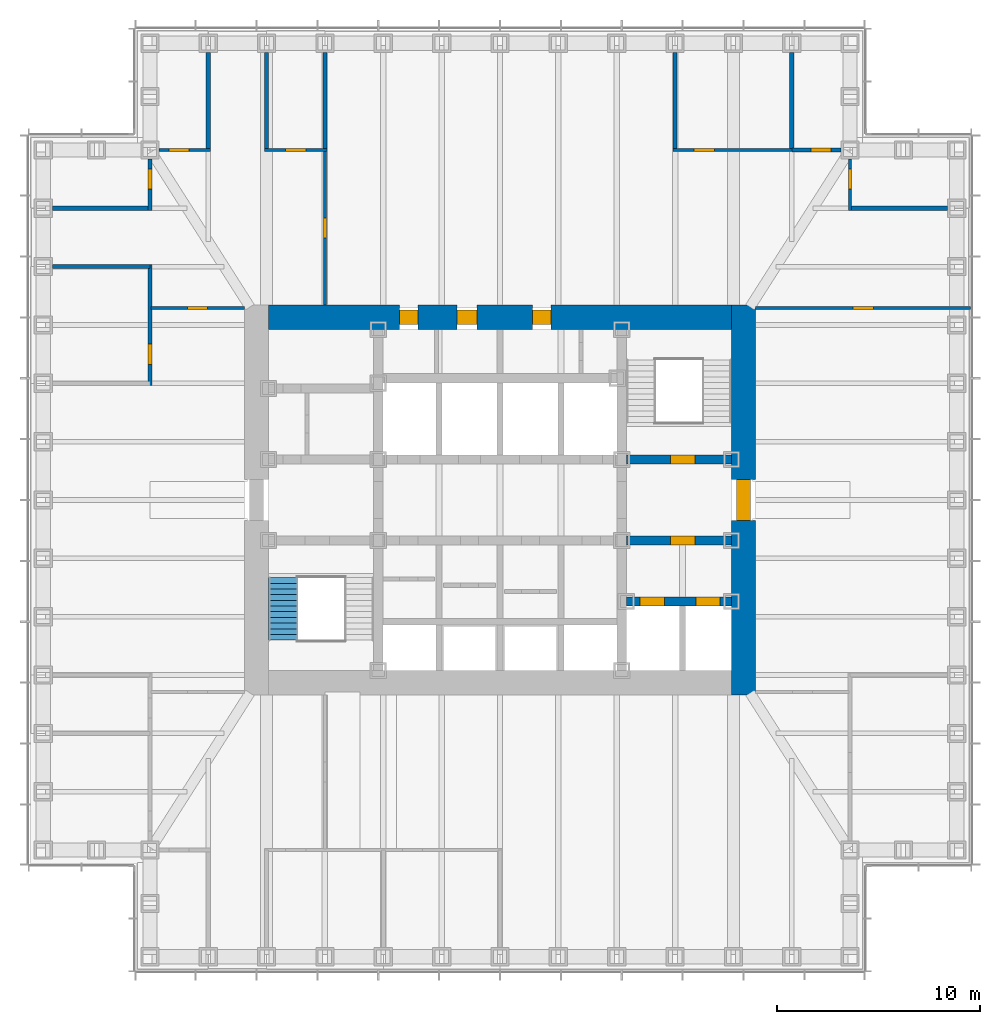
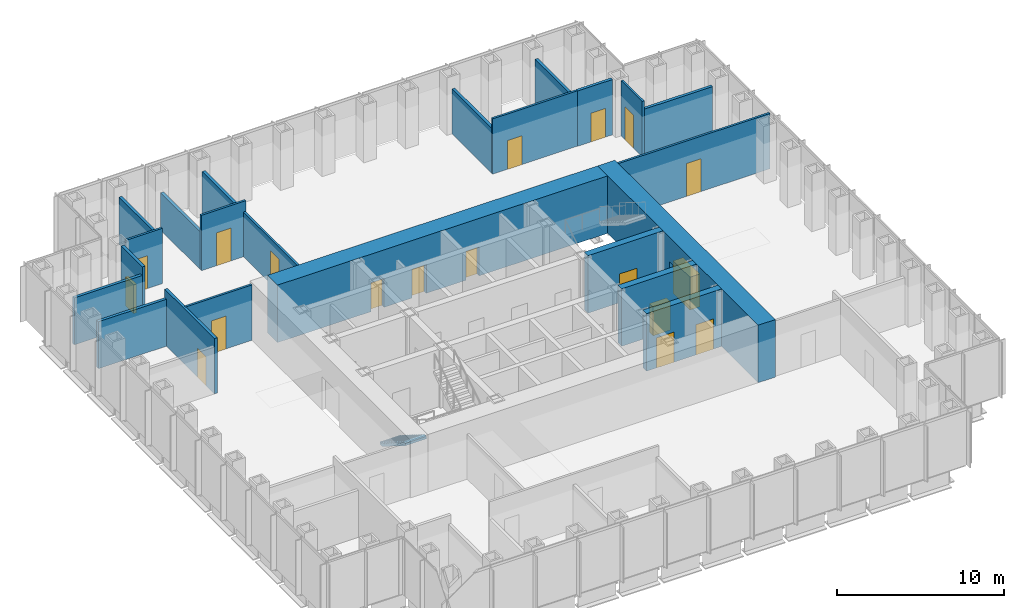
# One storey, part 10 of 17: 23 walls, 18 doors, 1 stair flight, 18 openings, 1 element without a shape of its own.
"""IFC4 building model written with IfcOpenShell, lengths in metres."""

from ifc_helpers import new_model, si_unit, direction, frame, frame_2d, origin, place, context, subcontext, project, spatial, polyline, rectangle, outline, extrude, material, layer, layer_set, type_object, element, fill, aggregate, save


model = new_model("IFC4")

# Units and contexts
model_context = context("Model", 3, precision=1e-05, world=origin(), true_north=direction((0.0, 1.0)))
body_context = subcontext(model_context, "Body", "Model", "MODEL_VIEW")
ifc_project = project(units=[si_unit("LENGTHUNIT", "METRE"), si_unit("AREAUNIT", "SQUARE_METRE"), si_unit("VOLUMEUNIT", "CUBIC_METRE"), si_unit("PLANEANGLEUNIT", "RADIAN"), si_unit("MASSUNIT", "GRAM", prefix="KILO")], contexts=[model_context])

# Site, building, storey
site_placement = place(None, origin())
site = spatial("IfcSite", under=ifc_project, at=site_placement, CompositionType="ELEMENT")
building_placement = place(site_placement, origin())
building = spatial("IfcBuilding", under=site, at=building_placement, Name="Daluyong Arena Tower", CompositionType="ELEMENT")
storey_placement = place(building_placement, frame((0.0, 0.0, 154.300048828125)))
storey = spatial("IfcBuildingStorey", under=building, at=storey_placement, Name="L34", CompositionType="ELEMENT", Elevation=154.300048828125)

# Wall, openings, doors
ifc_material_1 = material(Name="Concrete fc' 45 MPa", Category="concrete")
ifc_layer_1 = layer(ifc_material_1, 0.449951171875)
ifc_layer_set_1 = layer_set([ifc_layer_1], Name="Concrete fc' 45 MPa")
wall_type_1 = type_object("IfcWallType", Name="Core inner wall 450", PredefinedType="SHEAR", material=ifc_layer_set_1)
wall_1_placement = place(storey_placement, frame((62.22509765625, 75.0, 0.0), z_axis=(0.0, 0.0, 1.0), x_axis=(1.0, 0.0, 0.0)))
wall_1 = element("IfcWall", 1, at=wall_1_placement, inside=storey, type_object=wall_type_1, Name="core inner wall at L34", PredefinedType="SHEAR", context=body_context, shape_type="SweptSolid", body=[
    extrude(rectangle(XDim=5.1748046875, YDim=0.449951171875, at=frame_2d((2.58740234375, 0.0))), origin(), (0.0, 0.0, 1.0), 4.199951171875),
])
opening_1_placement = place(wall_1_placement, frame((0.675048828125, 0.0, 0.0)))
opening_1 = element("IfcOpeningElement", 2, at=opening_1_placement, cuts=wall_1, Name="Opening 34026", PredefinedType="OPENING", context=body_context, shape_type="SweptSolid", body=[
    extrude(rectangle(XDim=1.199951171875, YDim=2.199951171875, at=frame_2d((0.60009765625, 1.10009765625))), frame((0.0, 0.23486328125, 0.0), z_axis=(0.0, -1.0, 0.0), x_axis=(1.0, 0.0, 0.0)), (0.0, 0.0, 1.0), 0.469970703125),
])
opening_2_placement = place(wall_1_placement, frame((3.425048828125, 0.0, 0.0)))
opening_2 = element("IfcOpeningElement", 3, at=opening_2_placement, cuts=wall_1, Name="Opening 34027", PredefinedType="OPENING", context=body_context, shape_type="SweptSolid", body=[
    extrude(rectangle(XDim=1.199951171875, YDim=2.199951171875, at=frame_2d((0.60009765625, 1.10009765625))), frame((0.0, 0.23486328125, 0.0), z_axis=(0.0, -1.0, 0.0), x_axis=(1.0, 0.0, 0.0)), (0.0, 0.0, 1.0), 0.469970703125),
])
ifc_material_2 = material(Name="Steel door, fire rated", Category="steel")
door_type_1 = type_object("IfcDoorType", Name="Firefighting lift landing door 1200", OperationType="SLIDING_TO_LEFT", PredefinedType="DOOR", material=ifc_material_2)
door_1_placement = place(opening_1_placement, origin())
door_1 = element("IfcDoor", 4, at=door_1_placement, inside=storey, type_object=door_type_1, Name="firefighting lift landing door F1 34026", OperationType="SLIDING_TO_LEFT", OverallHeight=2.199951171875, OverallWidth=1.199951171875, PredefinedType="DOOR", context=body_context, shape_type="SweptSolid", body=[
    extrude(rectangle(XDim=1.199951171875, YDim=2.199951171875, at=frame_2d((0.60009765625, 1.10009765625))), frame((0.0, 0.224609375, 0.0), z_axis=(0.0, -1.0, 0.0), x_axis=(1.0, 0.0, 0.0)), (0.0, 0.0, 1.0), 0.449462890625),
])
fill(opening_1, door_1)
door_2_placement = place(opening_2_placement, origin())
door_2 = element("IfcDoor", 5, at=door_2_placement, inside=storey, type_object=door_type_1, Name="firefighting lift landing door F2 34027", OperationType="SLIDING_TO_LEFT", OverallHeight=2.199951171875, OverallWidth=1.199951171875, PredefinedType="DOOR", context=body_context, shape_type="SweptSolid", body=[
    extrude(rectangle(XDim=1.199951171875, YDim=2.199951171875, at=frame_2d((0.60009765625, 1.10009765625))), frame((0.0, 0.224609375, 0.0), z_axis=(0.0, -1.0, 0.0), x_axis=(1.0, 0.0, 0.0)), (0.0, 0.0, 1.0), 0.449462890625),
])
fill(opening_2, door_2)

# Wall, opening, door
wall_2_placement = place(storey_placement, frame((62.22509765625, 78.0, 0.0), z_axis=(0.0, 0.0, 1.0), x_axis=(1.0, 0.0, 0.0)))
wall_2 = element("IfcWall", 6, at=wall_2_placement, inside=storey, type_object=wall_type_1, Name="core inner wall at L34", PredefinedType="SHEAR", context=body_context, shape_type="SweptSolid", body=[
    extrude(rectangle(XDim=5.1748046875, YDim=0.449951171875, at=frame_2d((2.58740234375, 0.0))), origin(), (0.0, 0.0, 1.0), 4.199951171875),
])
opening_3_placement = place(wall_2_placement, frame((2.175048828125, 0.0, 0.0)))
opening_3 = element("IfcOpeningElement", 7, at=opening_3_placement, cuts=wall_2, Name="Opening 34021", PredefinedType="OPENING", context=body_context, shape_type="SweptSolid", body=[
    extrude(rectangle(XDim=1.199951171875, YDim=2.10009765625, at=frame_2d((0.60009765625, 1.050048828125))), frame((0.0, 0.23486328125, 0.0), z_axis=(0.0, -1.0, 0.0), x_axis=(1.0, 0.0, 0.0)), (0.0, 0.0, 1.0), 0.469970703125),
])
ifc_material_3 = material(Name="Steel door, fire rated", Category="steel")
door_type_2 = type_object("IfcDoorType", Name="Firefighting lobby door 1200", OperationType="SINGLE_SWING_RIGHT", PredefinedType="DOOR", material=ifc_material_3)
door_3_placement = place(opening_3_placement, origin())
door_3 = element("IfcDoor", 8, at=door_3_placement, inside=storey, type_object=door_type_2, Name="firefighting lobby door 34021", OperationType="SINGLE_SWING_RIGHT", OverallHeight=2.10009765625, OverallWidth=1.199951171875, PredefinedType="DOOR", context=body_context, shape_type="SweptSolid", body=[
    extrude(rectangle(XDim=1.199951171875, YDim=2.10009765625, at=frame_2d((0.60009765625, 1.050048828125))), frame((0.0, 0.224609375, 0.0), z_axis=(0.0, -1.0, 0.0), x_axis=(1.0, 0.0, 0.0)), (0.0, 0.0, 1.0), 0.449462890625),
])
fill(opening_3, door_3)

wall_3_placement = place(storey_placement, frame((62.22509765625, 82.0, 0.0), z_axis=(0.0, 0.0, 1.0), x_axis=(1.0, 0.0, 0.0)))
wall_3 = element("IfcWall", 9, at=wall_3_placement, inside=storey, type_object=wall_type_1, Name="core inner wall at L34", PredefinedType="SHEAR", context=body_context, shape_type="SweptSolid", body=[
    extrude(rectangle(XDim=5.1748046875, YDim=0.449951171875, at=frame_2d((2.58740234375, 0.0))), origin(), (0.0, 0.0, 1.0), 4.199951171875),
])
opening_4_placement = place(wall_3_placement, frame((2.175048828125, 0.0, 0.0)))
opening_4 = element("IfcOpeningElement", 10, at=opening_4_placement, cuts=wall_3, Name="Opening 34016", PredefinedType="OPENING", context=body_context, shape_type="SweptSolid", body=[
    extrude(rectangle(XDim=1.199951171875, YDim=2.10009765625, at=frame_2d((0.60009765625, 1.050048828125))), frame((0.0, 0.23486328125, 0.0), z_axis=(0.0, -1.0, 0.0), x_axis=(1.0, 0.0, 0.0)), (0.0, 0.0, 1.0), 0.469970703125),
])
ifc_material_4 = material(Name="Steel door, fire rated", Category="steel")
door_type_3 = type_object("IfcDoorType", Name="Stair door 1200", OperationType="SINGLE_SWING_LEFT", PredefinedType="DOOR", material=ifc_material_4)
door_4_placement = place(opening_4_placement, origin())
door_4 = element("IfcDoor", 11, at=door_4_placement, inside=storey, type_object=door_type_3, Name="stair B door 34016", OperationType="SINGLE_SWING_LEFT", OverallHeight=2.10009765625, OverallWidth=1.199951171875, PredefinedType="DOOR", context=body_context, shape_type="SweptSolid", body=[
    extrude(rectangle(XDim=1.199951171875, YDim=2.10009765625, at=frame_2d((0.60009765625, 1.050048828125))), frame((0.0, 0.224609375, 0.0), z_axis=(0.0, -1.0, 0.0), x_axis=(1.0, 0.0, 0.0)), (0.0, 0.0, 1.0), 0.449462890625),
])
fill(opening_4, door_4)

ifc_material_5 = material(Name="Concrete fc' 60 MPa", Category="concrete")
ifc_layer_2 = layer(ifc_material_5, 1.199951171875)
ifc_layer_set_2 = layer_set([ifc_layer_2], Name="Concrete fc' 60 MPa")
wall_type_2 = type_object("IfcWallType", Name="Core wall 1200", PredefinedType="SHEAR", material=ifc_layer_set_2)
wall_4_placement = place(storey_placement, frame((68.0, 70.39990234375, 0.0), z_axis=(0.0, 0.0, 1.0), x_axis=(0.0, 1.0, 0.0)))
wall_4 = element("IfcWall", 12, at=wall_4_placement, inside=storey, type_object=wall_type_2, Name="core wall at L34", PredefinedType="SHEAR", context=body_context, shape_type="SweptSolid", body=[
    extrude(rectangle(XDim=19.2001953125, YDim=1.199951171875, at=frame_2d((9.60009765625, 0.0))), origin(), (0.0, 0.0, 1.0), 4.199951171875),
])
opening_5_placement = place(wall_4_placement, frame((8.60009765625, 0.0, 0.0)))
opening_5 = element("IfcOpeningElement", 13, at=opening_5_placement, cuts=wall_4, Name="Opening 34018", PredefinedType="OPENING", context=body_context, shape_type="SweptSolid", body=[
    extrude(rectangle(XDim=2.0, YDim=2.39990234375, at=frame_2d((1.0, 1.199951171875))), frame((0.0, 0.60986328125, 0.0), z_axis=(0.0, -1.0, 0.0), x_axis=(1.0, 0.0, 0.0)), (0.0, 0.0, 1.0), 1.219970703125),
])
ifc_material_6 = material(Name="Steel door, fire rated", Category="steel")
door_type_4 = type_object("IfcDoorType", Name="Core lobby double door 2000", OperationType="DOUBLE_DOOR_SINGLE_SWING", PredefinedType="DOOR", material=ifc_material_6)
door_5_placement = place(opening_5_placement, origin())
door_5 = element("IfcDoor", 14, at=door_5_placement, inside=storey, type_object=door_type_4, Name="core lobby door east 34018", OperationType="DOUBLE_DOOR_SINGLE_SWING", OverallHeight=2.39990234375, OverallWidth=2.0, PredefinedType="DOOR", context=body_context, shape_type="SweptSolid", body=[
    extrude(rectangle(XDim=2.0, YDim=2.39990234375, at=frame_2d((1.0, 1.199951171875))), frame((0.0, 0.35009765625, 0.0), z_axis=(0.0, -1.0, 0.0), x_axis=(1.0, 0.0, 0.0)), (0.0, 0.0, 1.0), 0.699951171875),
])
fill(opening_5, door_5)

# Wall, openings, doors
wall_5_placement = place(storey_placement, frame((44.60009765625, 89.0, 0.0), z_axis=(0.0, 0.0, 1.0), x_axis=(1.0, 0.0, 0.0)))
wall_5 = element("IfcWall", 15, at=wall_5_placement, inside=storey, type_object=wall_type_2, Name="core wall at L34", PredefinedType="SHEAR", context=body_context, shape_type="SweptSolid", body=[
    extrude(rectangle(XDim=22.7998046875, YDim=1.199951171875, at=frame_2d((11.39990234375, 0.0))), origin(), (0.0, 0.0, 1.0), 4.199951171875),
])
opening_6_placement = place(wall_5_placement, frame((9.27490234375, 0.0, 0.0)))
opening_6 = element("IfcOpeningElement", 16, at=opening_6_placement, cuts=wall_5, Name="Opening 34004", PredefinedType="OPENING", context=body_context, shape_type="SweptSolid", body=[
    extrude(rectangle(XDim=1.0, YDim=2.10009765625, at=frame_2d((0.5, 1.050048828125))), frame((0.0, 0.60986328125, 0.0), z_axis=(0.0, -1.0, 0.0), x_axis=(1.0, 0.0, 0.0)), (0.0, 0.0, 1.0), 1.219970703125),
])
opening_7_placement = place(wall_5_placement, frame((6.449951171875, 0.0, 0.0)))
opening_7 = element("IfcOpeningElement", 17, at=opening_7_placement, cuts=wall_5, Name="Opening 34005", PredefinedType="OPENING", context=body_context, shape_type="SweptSolid", body=[
    extrude(rectangle(XDim=0.89990234375, YDim=2.10009765625, at=frame_2d((0.449951171875, 1.050048828125))), frame((0.0, 0.60986328125, 0.0), z_axis=(0.0, -1.0, 0.0), x_axis=(1.0, 0.0, 0.0)), (0.0, 0.0, 1.0), 1.219970703125),
])
opening_8_placement = place(wall_5_placement, frame((13.012451171875, 0.0, 0.0)))
opening_8 = element("IfcOpeningElement", 18, at=opening_8_placement, cuts=wall_5, Name="Opening 34006", PredefinedType="OPENING", context=body_context, shape_type="SweptSolid", body=[
    extrude(rectangle(XDim=0.89990234375, YDim=2.10009765625, at=frame_2d((0.449951171875, 1.050048828125))), frame((0.0, 0.60986328125, 0.0), z_axis=(0.0, -1.0, 0.0), x_axis=(1.0, 0.0, 0.0)), (0.0, 0.0, 1.0), 1.219970703125),
])
ifc_material_7 = material(Name="Timber door", Category="wood")
door_type_5 = type_object("IfcDoorType", Name="Accessible toilet door 1000", OperationType="SINGLE_SWING_LEFT", PredefinedType="DOOR", material=ifc_material_7)
door_6_placement = place(opening_6_placement, origin())
door_6 = element("IfcDoor", 19, at=door_6_placement, inside=storey, type_object=door_type_5, Name="accessible toilet door 34004", OperationType="SINGLE_SWING_LEFT", OverallHeight=2.10009765625, OverallWidth=1.0, PredefinedType="DOOR", context=body_context, shape_type="SweptSolid", body=[
    extrude(rectangle(XDim=1.0, YDim=2.10009765625, at=frame_2d((0.5, 1.050048828125))), frame((0.0, 0.35009765625, 0.0), z_axis=(0.0, -1.0, 0.0), x_axis=(1.0, 0.0, 0.0)), (0.0, 0.0, 1.0), 0.699951171875),
])
fill(opening_6, door_6)
ifc_material_8 = material(Name="Steel door, fire rated", Category="steel")
door_type_6 = type_object("IfcDoorType", Name="Core room door 900", OperationType="SINGLE_SWING_LEFT", PredefinedType="DOOR", material=ifc_material_8)
door_7_placement = place(opening_7_placement, origin())
door_7 = element("IfcDoor", 20, at=door_7_placement, inside=storey, type_object=door_type_6, Name="print room door 34005", OperationType="SINGLE_SWING_LEFT", OverallHeight=2.10009765625, OverallWidth=0.89990234375, PredefinedType="DOOR", context=body_context, shape_type="SweptSolid", body=[
    extrude(rectangle(XDim=0.89990234375, YDim=2.10009765625, at=frame_2d((0.449951171875, 1.050048828125))), frame((0.0, 0.35009765625, 0.0), z_axis=(0.0, -1.0, 0.0), x_axis=(1.0, 0.0, 0.0)), (0.0, 0.0, 1.0), 0.699951171875),
])
fill(opening_7, door_7)
ifc_material_9 = material(Name="Steel door, fire rated", Category="steel")
door_type_7 = type_object("IfcDoorType", Name="Core store door 900", OperationType="SINGLE_SWING_LEFT", PredefinedType="DOOR", material=ifc_material_9)
door_8_placement = place(opening_8_placement, origin())
door_8 = element("IfcDoor", 21, at=door_8_placement, inside=storey, type_object=door_type_7, Name="tenant store door 34006", OperationType="SINGLE_SWING_LEFT", OverallHeight=2.10009765625, OverallWidth=0.89990234375, PredefinedType="DOOR", context=body_context, shape_type="SweptSolid", body=[
    extrude(rectangle(XDim=0.89990234375, YDim=2.10009765625, at=frame_2d((0.449951171875, 1.050048828125))), frame((0.0, 0.35009765625, 0.0), z_axis=(0.0, -1.0, 0.0), x_axis=(1.0, 0.0, 0.0)), (0.0, 0.0, 1.0), 0.699951171875),
])
fill(opening_8, door_8)

# Wall, opening, door
ifc_material_10 = material(Name="Glazed aluminium partition", Category="aluminium")
ifc_layer_3 = layer(ifc_material_10, 0.14990234375)
ifc_layer_set_3 = layer_set([ifc_layer_3], Name="Glazed aluminium partition")
wall_type_3 = type_object("IfcWallType", Name="Glazed partition 150", PredefinedType="PARTITIONING", material=ifc_layer_set_3)
wall_6_placement = place(storey_placement, frame((38.800048828125, 89.449951171875, 0.0), z_axis=(0.0, 0.0, 1.0), x_axis=(1.0, 0.0, 0.0)))
wall_6 = element("IfcWall", 22, at=wall_6_placement, inside=storey, type_object=wall_type_3, Name="glazed partition at L34", PredefinedType="PARTITIONING", context=body_context, shape_type="SweptSolid", body=[
    extrude(rectangle(XDim=4.599853515625, YDim=0.14990234375, at=frame_2d((2.2998046875, 0.0))), origin(), (0.0, 0.0, 1.0), 4.0400390625),
])
opening_9_placement = place(wall_6_placement, frame((1.800048828125, 0.0, 0.0)))
opening_9 = element("IfcOpeningElement", 23, at=opening_9_placement, cuts=wall_6, Name="Opening 34042", PredefinedType="OPENING", context=body_context, shape_type="SweptSolid", body=[
    extrude(rectangle(XDim=1.0, YDim=2.39990234375, at=frame_2d((0.5, 1.199951171875))), frame((0.0, 0.0849609375, 0.0), z_axis=(0.0, -1.0, 0.0), x_axis=(1.0, 0.0, 0.0)), (0.0, 0.0, 1.0), 0.169921875),
])
ifc_material_11 = material(Name="Glazed aluminium door", Category="aluminium")
door_type_8 = type_object("IfcDoorType", Name="Meeting room glazed door 1000", OperationType="SINGLE_SWING_RIGHT", PredefinedType="DOOR", material=ifc_material_11)
door_9_placement = place(opening_9_placement, origin())
door_9 = element("IfcDoor", 24, at=door_9_placement, inside=storey, type_object=door_type_8, Name="team area screen door 34042", OperationType="SINGLE_SWING_RIGHT", OverallHeight=2.39990234375, OverallWidth=1.0, PredefinedType="DOOR", context=body_context, shape_type="SweptSolid", body=[
    extrude(rectangle(XDim=1.0, YDim=2.39990234375, at=frame_2d((0.5, 1.199951171875))), frame((0.0, 0.07470703125, 0.0), z_axis=(0.0, -1.0, 0.0), x_axis=(1.0, 0.0, 0.0)), (0.0, 0.0, 1.0), 0.1494140625),
])
fill(opening_9, door_9)

wall_7_placement = place(storey_placement, frame((68.60009765625, 89.449951171875, 0.0), z_axis=(0.0, 0.0, 1.0), x_axis=(1.0, 0.0, 0.0)))
wall_7 = element("IfcWall", 25, at=wall_7_placement, inside=storey, type_object=wall_type_3, Name="glazed partition at L34", PredefinedType="PARTITIONING", context=body_context, shape_type="SweptSolid", body=[
    extrude(rectangle(XDim=10.58984375, YDim=0.14990234375, at=frame_2d((5.294921875, 0.0))), origin(), (0.0, 0.0, 1.0), 4.0400390625),
])
opening_10_placement = place(wall_7_placement, frame((4.794921875, 0.0, 0.0)))
opening_10 = element("IfcOpeningElement", 26, at=opening_10_placement, cuts=wall_7, Name="Opening 34044", PredefinedType="OPENING", context=body_context, shape_type="SweptSolid", body=[
    extrude(rectangle(XDim=1.0, YDim=2.39990234375, at=frame_2d((0.5, 1.199951171875))), frame((0.0, 0.0849609375, 0.0), z_axis=(0.0, -1.0, 0.0), x_axis=(1.0, 0.0, 0.0)), (0.0, 0.0, 1.0), 0.169921875),
])
door_10_placement = place(opening_10_placement, origin())
door_10 = element("IfcDoor", 27, at=door_10_placement, inside=storey, type_object=door_type_8, Name="team area screen door 34044", OperationType="SINGLE_SWING_RIGHT", OverallHeight=2.39990234375, OverallWidth=1.0, PredefinedType="DOOR", context=body_context, shape_type="SweptSolid", body=[
    extrude(rectangle(XDim=1.0, YDim=2.39990234375, at=frame_2d((0.5, 1.199951171875))), frame((0.0, 0.07470703125, 0.0), z_axis=(0.0, -1.0, 0.0), x_axis=(1.0, 0.0, 0.0)), (0.0, 0.0, 1.0), 0.1494140625),
])
fill(opening_10, door_10)

wall_8_placement = place(storey_placement, frame((39.199951171875, 97.25, 0.0), z_axis=(0.0, 0.0, 1.0), x_axis=(1.0, 0.0, 0.0)))
wall_8 = element("IfcWall", 28, at=wall_8_placement, inside=storey, type_object=wall_type_3, Name="glazed partition at L34", PredefinedType="PARTITIONING", context=body_context, shape_type="SweptSolid", body=[
    extrude(rectangle(XDim=2.525146484375, YDim=0.14990234375, at=frame_2d((1.2626953125, 0.0))), origin(), (0.0, 0.0, 1.0), 4.0400390625),
])
opening_11_placement = place(wall_8_placement, frame((0.487548828125, 0.0, 0.0)))
opening_11 = element("IfcOpeningElement", 29, at=opening_11_placement, cuts=wall_8, Name="Opening 34033", PredefinedType="OPENING", context=body_context, shape_type="SweptSolid", body=[
    extrude(rectangle(XDim=1.0, YDim=2.39990234375, at=frame_2d((0.5, 1.199951171875))), frame((0.0, 0.0849609375, 0.0), z_axis=(0.0, -1.0, 0.0), x_axis=(1.0, 0.0, 0.0)), (0.0, 0.0, 1.0), 0.169921875),
])
door_11_placement = place(opening_11_placement, origin())
door_11 = element("IfcDoor", 30, at=door_11_placement, inside=storey, type_object=door_type_8, Name="focus room door 34033", OperationType="SINGLE_SWING_RIGHT", OverallHeight=2.39990234375, OverallWidth=1.0, PredefinedType="DOOR", context=body_context, shape_type="SweptSolid", body=[
    extrude(rectangle(XDim=1.0, YDim=2.39990234375, at=frame_2d((0.5, 1.199951171875))), frame((0.0, 0.07470703125, 0.0), z_axis=(0.0, -1.0, 0.0), x_axis=(1.0, 0.0, 0.0)), (0.0, 0.0, 1.0), 0.1494140625),
])
fill(opening_11, door_11)

wall_9_placement = place(storey_placement, frame((44.39990234375, 97.25, 0.0), z_axis=(0.0, 0.0, 1.0), x_axis=(1.0, 0.0, 0.0)))
wall_9 = element("IfcWall", 31, at=wall_9_placement, inside=storey, type_object=wall_type_3, Name="glazed partition at L34", PredefinedType="PARTITIONING", context=body_context, shape_type="SweptSolid", body=[
    extrude(rectangle(XDim=3.0751953125, YDim=0.14990234375, at=frame_2d((1.53759765625, 0.0))), origin(), (0.0, 0.0, 1.0), 4.0400390625),
])
opening_12_placement = place(wall_9_placement, frame((1.03759765625, 0.0, 0.0)))
opening_12 = element("IfcOpeningElement", 32, at=opening_12_placement, cuts=wall_9, Name="Opening 34034", PredefinedType="OPENING", context=body_context, shape_type="SweptSolid", body=[
    extrude(rectangle(XDim=1.0, YDim=2.39990234375, at=frame_2d((0.5, 1.199951171875))), frame((0.0, 0.0849609375, 0.0), z_axis=(0.0, -1.0, 0.0), x_axis=(1.0, 0.0, 0.0)), (0.0, 0.0, 1.0), 0.169921875),
])
door_12_placement = place(opening_12_placement, origin())
door_12 = element("IfcDoor", 33, at=door_12_placement, inside=storey, type_object=door_type_8, Name="focus room door 34034", OperationType="SINGLE_SWING_RIGHT", OverallHeight=2.39990234375, OverallWidth=1.0, PredefinedType="DOOR", context=body_context, shape_type="SweptSolid", body=[
    extrude(rectangle(XDim=1.0, YDim=2.39990234375, at=frame_2d((0.5, 1.199951171875))), frame((0.0, 0.07470703125, 0.0), z_axis=(0.0, -1.0, 0.0), x_axis=(1.0, 0.0, 0.0)), (0.0, 0.0, 1.0), 0.1494140625),
])
fill(opening_12, door_12)

wall_10_placement = place(storey_placement, frame((64.52490234375, 97.25, 0.0), z_axis=(0.0, 0.0, 1.0), x_axis=(1.0, 0.0, 0.0)))
wall_10 = element("IfcWall", 34, at=wall_10_placement, inside=storey, type_object=wall_type_3, Name="glazed partition at L34", PredefinedType="PARTITIONING", context=body_context, shape_type="SweptSolid", body=[
    extrude(rectangle(XDim=5.85009765625, YDim=0.14990234375, at=frame_2d((2.925048828125, 0.0))), origin(), (0.0, 0.0, 1.0), 4.0400390625),
])
opening_13_placement = place(wall_10_placement, frame((1.03759765625, 0.0, 0.0)))
opening_13 = element("IfcOpeningElement", 35, at=opening_13_placement, cuts=wall_10, Name="Opening 34035", PredefinedType="OPENING", context=body_context, shape_type="SweptSolid", body=[
    extrude(rectangle(XDim=1.0, YDim=2.10009765625, at=frame_2d((0.5, 1.050048828125))), frame((0.0, 0.0849609375, 0.0), z_axis=(0.0, -1.0, 0.0), x_axis=(1.0, 0.0, 0.0)), (0.0, 0.0, 1.0), 0.169921875),
])
ifc_material_12 = material(Name="Timber door", Category="wood")
door_type_9 = type_object("IfcDoorType", Name="Room door 1000", OperationType="SINGLE_SWING_LEFT", PredefinedType="DOOR", material=ifc_material_12)
door_13_placement = place(opening_13_placement, origin())
door_13 = element("IfcDoor", 36, at=door_13_placement, inside=storey, type_object=door_type_9, Name="office door 34035", OperationType="SINGLE_SWING_LEFT", OverallHeight=2.10009765625, OverallWidth=1.0, PredefinedType="DOOR", context=body_context, shape_type="SweptSolid", body=[
    extrude(rectangle(XDim=1.0, YDim=2.10009765625, at=frame_2d((0.5, 1.050048828125))), frame((0.0, 0.07470703125, 0.0), z_axis=(0.0, -1.0, 0.0), x_axis=(1.0, 0.0, 0.0)), (0.0, 0.0, 1.0), 0.1494140625),
])
fill(opening_13, door_13)

wall_11_placement = place(storey_placement, frame((47.375, 89.60009765625, 0.0), z_axis=(0.0, 0.0, 1.0), x_axis=(0.0, 1.0, 0.0)))
wall_11 = element("IfcWall", 37, at=wall_11_placement, inside=storey, type_object=wall_type_3, Name="glazed partition at L34", PredefinedType="PARTITIONING", context=body_context, shape_type="SweptSolid", body=[
    extrude(rectangle(XDim=7.599853515625, YDim=0.14990234375, at=frame_2d((3.7998046875, 0.0))), origin(), (0.0, 0.0, 1.0), 3.27783203125),
])
opening_14_placement = place(wall_11_placement, frame((3.300048828125, 0.0, 0.0)))
opening_14 = element("IfcOpeningElement", 38, at=opening_14_placement, cuts=wall_11, Name="Opening 34046", PredefinedType="OPENING", context=body_context, shape_type="SweptSolid", body=[
    extrude(rectangle(XDim=1.0, YDim=2.39990234375, at=frame_2d((0.5, 1.199951171875))), frame((0.0, 0.0849609375, 0.0), z_axis=(0.0, -1.0, 0.0), x_axis=(1.0, 0.0, 0.0)), (0.0, 0.0, 1.0), 0.169921875),
])
door_14_placement = place(opening_14_placement, origin())
door_14 = element("IfcDoor", 39, at=door_14_placement, inside=storey, type_object=door_type_8, Name="team area screen door 34046", OperationType="SINGLE_SWING_RIGHT", OverallHeight=2.39990234375, OverallWidth=1.0, PredefinedType="DOOR", context=body_context, shape_type="SweptSolid", body=[
    extrude(rectangle(XDim=1.0, YDim=2.39990234375, at=frame_2d((0.5, 1.199951171875))), frame((0.0, 0.07470703125, 0.0), z_axis=(0.0, -1.0, 0.0), x_axis=(1.0, 0.0, 0.0)), (0.0, 0.0, 1.0), 0.1494140625),
])
fill(opening_14, door_14)

wall_12_placement = place(storey_placement, frame((73.25, 94.27490234375, 0.0), z_axis=(0.0, 0.0, 1.0), x_axis=(0.0, 1.0, 0.0)))
wall_12 = element("IfcWall", 40, at=wall_12_placement, inside=storey, type_object=wall_type_3, Name="glazed partition at L34", PredefinedType="PARTITIONING", context=body_context, shape_type="SweptSolid", body=[
    extrude(rectangle(XDim=2.525146484375, YDim=0.14990234375, at=frame_2d((1.2626953125, 0.0))), origin(), (0.0, 0.0, 1.0), 4.0400390625),
])
opening_15_placement = place(wall_12_placement, frame((1.03759765625, 0.0, 0.0)))
opening_15 = element("IfcOpeningElement", 41, at=opening_15_placement, cuts=wall_12, Name="Opening 34032", PredefinedType="OPENING", context=body_context, shape_type="SweptSolid", body=[
    extrude(rectangle(XDim=1.0, YDim=2.39990234375, at=frame_2d((0.5, 1.199951171875))), frame((0.0, 0.0849609375, 0.0), z_axis=(0.0, -1.0, 0.0), x_axis=(1.0, 0.0, 0.0)), (0.0, 0.0, 1.0), 0.169921875),
])
door_15_placement = place(opening_15_placement, origin())
door_15 = element("IfcDoor", 42, at=door_15_placement, inside=storey, type_object=door_type_8, Name="meeting room door 34032", OperationType="SINGLE_SWING_RIGHT", OverallHeight=2.39990234375, OverallWidth=1.0, PredefinedType="DOOR", context=body_context, shape_type="SweptSolid", body=[
    extrude(rectangle(XDim=1.0, YDim=2.39990234375, at=frame_2d((0.5, 1.199951171875))), frame((0.0, 0.07470703125, 0.0), z_axis=(0.0, -1.0, 0.0), x_axis=(1.0, 0.0, 0.0)), (0.0, 0.0, 1.0), 0.1494140625),
])
fill(opening_15, door_15)

# Walls
ifc_material_13 = material(Name="Concrete block partition", Category="concrete")
ifc_layer_4 = layer(ifc_material_13, 0.199951171875)
ifc_layer_set_4 = layer_set([ifc_layer_4], Name="Concrete block partition")
wall_type_4 = type_object("IfcWallType", Name="Partition 200", PredefinedType="PARTITIONING", material=ifc_layer_set_4)
for number, where, z_axis, x_axis, name in (
    (43, (73.25, 94.375, 0.0), (0.0, 0.0, 1.0), (1.0, 0.0, 0.0), "partition at L34"),
    (44, (41.625, 97.25, 0.0), (0.0, 0.0, 1.0), (0.0, 1.0, 0.0), "partition at L34"),
):
    element("IfcWall", number, at=place(storey_placement, frame(where, z_axis=z_axis, x_axis=x_axis)), inside=storey, type_object=wall_type_4, Name=name, PredefinedType="PARTITIONING", context=body_context, shape_type="SweptSolid", body=[
        extrude(rectangle(XDim=4.800048828125, YDim=0.199951171875, at=frame_2d((2.39990234375, 0.0))), origin(), (0.0, 0.0, 1.0), 3.427734375),
    ])
wall_13_placement = place(storey_placement, frame((44.5, 97.25, 0.0), z_axis=(0.0, 0.0, 1.0), x_axis=(0.0, 1.0, 0.0)))
element("IfcWall", 45, at=wall_13_placement, inside=storey, type_object=wall_type_4, Name="partition at L34", PredefinedType="PARTITIONING", context=body_context, shape_type="SweptSolid", body=[
    extrude(rectangle(XDim=4.800048828125, YDim=0.199951171875, at=frame_2d((2.39990234375, 0.0))), origin(), (0.0, 0.0, 1.0), 2.739990234375),
])
for number, where, z_axis, x_axis, name in (
    (46, (47.375, 97.25, 0.0), (0.0, 0.0, 1.0), (0.0, 1.0, 0.0), "partition at L34"),
    (47, (64.625, 97.25, 0.0), (0.0, 0.0, 1.0), (0.0, 1.0, 0.0), "partition at L34"),
):
    element("IfcWall", number, at=place(storey_placement, frame(where, z_axis=z_axis, x_axis=x_axis)), inside=storey, type_object=wall_type_4, Name=name, PredefinedType="PARTITIONING", context=body_context, shape_type="SweptSolid", body=[
        extrude(rectangle(XDim=4.800048828125, YDim=0.199951171875, at=frame_2d((2.39990234375, 0.0))), origin(), (0.0, 0.0, 1.0), 3.27783203125),
    ])
for number, where, z_axis, x_axis, name in (
    (48, (70.375, 97.25, 0.0), (0.0, 0.0, 1.0), (0.0, 1.0, 0.0), "partition at L34"),
    (49, (33.949951171875, 91.5, 0.0), (0.0, 0.0, 1.0), (1.0, 0.0, 0.0), "partition at L34"),
    (50, (33.949951171875, 94.375, 0.0), (0.0, 0.0, 1.0), (1.0, 0.0, 0.0), "partition at L34"),
):
    element("IfcWall", number, at=place(storey_placement, frame(where, z_axis=z_axis, x_axis=x_axis)), inside=storey, type_object=wall_type_4, Name=name, PredefinedType="PARTITIONING", context=body_context, shape_type="SweptSolid", body=[
        extrude(rectangle(XDim=4.800048828125, YDim=0.199951171875, at=frame_2d((2.39990234375, 0.0))), origin(), (0.0, 0.0, 1.0), 3.427734375),
    ])

# Wall, opening, door
wall_14_placement = place(storey_placement, frame((70.375, 97.25, 0.0), z_axis=(0.0, 0.0, 1.0), x_axis=(1.0, 0.0, 0.0)))
wall_14 = element("IfcWall", 51, at=wall_14_placement, inside=storey, type_object=wall_type_4, Name="partition at L34", PredefinedType="PARTITIONING", context=body_context, shape_type="SweptSolid", body=[
    extrude(rectangle(XDim=2.425048828125, YDim=0.199951171875, at=frame_2d((1.21240234375, 0.0))), origin(), (0.0, 0.0, 1.0), 4.0400390625),
])
opening_16_placement = place(wall_14_placement, frame((0.9375, 0.0, 0.0)))
opening_16 = element("IfcOpeningElement", 52, at=opening_16_placement, cuts=wall_14, Name="Opening 34036", PredefinedType="OPENING", context=body_context, shape_type="SweptSolid", body=[
    extrude(rectangle(XDim=1.0, YDim=2.10009765625, at=frame_2d((0.5, 1.050048828125))), frame((0.0, 0.10986328125, 0.0), z_axis=(0.0, -1.0, 0.0), x_axis=(1.0, 0.0, 0.0)), (0.0, 0.0, 1.0), 0.219970703125),
])
door_16_placement = place(opening_16_placement, origin())
door_16 = element("IfcDoor", 53, at=door_16_placement, inside=storey, type_object=door_type_9, Name="wellness room door 34036", OperationType="SINGLE_SWING_LEFT", OverallHeight=2.10009765625, OverallWidth=1.0, PredefinedType="DOOR", context=body_context, shape_type="SweptSolid", body=[
    extrude(rectangle(XDim=1.0, YDim=2.10009765625, at=frame_2d((0.5, 1.050048828125))), frame((0.0, 0.099609375, 0.0), z_axis=(0.0, -1.0, 0.0), x_axis=(1.0, 0.0, 0.0)), (0.0, 0.0, 1.0), 0.199462890625),
])
fill(opening_16, door_16)

wall_15_placement = place(storey_placement, frame((38.75, 85.64990234375, 0.0), z_axis=(0.0, 0.0, 1.0), x_axis=(0.0, 1.0, 0.0)))
wall_15 = element("IfcWall", 54, at=wall_15_placement, inside=storey, type_object=wall_type_4, Name="partition at L34", PredefinedType="PARTITIONING", context=body_context, shape_type="SweptSolid", body=[
    extrude(rectangle(XDim=5.9501953125, YDim=0.199951171875, at=frame_2d((2.97509765625, 0.0))), origin(), (0.0, 0.0, 1.0), 4.0400390625),
])
opening_17_placement = place(wall_15_placement, frame((1.03759765625, 0.0, 0.0)))
opening_17 = element("IfcOpeningElement", 55, at=opening_17_placement, cuts=wall_15, Name="Opening 34039", PredefinedType="OPENING", context=body_context, shape_type="SweptSolid", body=[
    extrude(rectangle(XDim=1.0, YDim=2.10009765625, at=frame_2d((0.5, 1.050048828125))), frame((0.0, 0.10986328125, 0.0), z_axis=(0.0, -1.0, 0.0), x_axis=(1.0, 0.0, 0.0)), (0.0, 0.0, 1.0), 0.219970703125),
])
door_17_placement = place(opening_17_placement, origin())
door_17 = element("IfcDoor", 56, at=door_17_placement, inside=storey, type_object=door_type_9, Name="project room door 34039", OperationType="SINGLE_SWING_LEFT", OverallHeight=2.10009765625, OverallWidth=1.0, PredefinedType="DOOR", context=body_context, shape_type="SweptSolid", body=[
    extrude(rectangle(XDim=1.0, YDim=2.10009765625, at=frame_2d((0.5, 1.050048828125))), frame((0.0, 0.099609375, 0.0), z_axis=(0.0, -1.0, 0.0), x_axis=(1.0, 0.0, 0.0)), (0.0, 0.0, 1.0), 0.199462890625),
])
fill(opening_17, door_17)

wall_16_placement = place(storey_placement, frame((38.75, 94.27490234375, 0.0), z_axis=(0.0, 0.0, 1.0), x_axis=(0.0, 1.0, 0.0)))
wall_16 = element("IfcWall", 57, at=wall_16_placement, inside=storey, type_object=wall_type_4, Name="partition at L34", PredefinedType="PARTITIONING", context=body_context, shape_type="SweptSolid", body=[
    extrude(rectangle(XDim=2.525146484375, YDim=0.199951171875, at=frame_2d((1.2626953125, 0.0))), origin(), (0.0, 0.0, 1.0), 4.0400390625),
])
opening_18_placement = place(wall_16_placement, frame((1.03759765625, 0.0, 0.0)))
opening_18 = element("IfcOpeningElement", 58, at=opening_18_placement, cuts=wall_16, Name="Opening 34040", PredefinedType="OPENING", context=body_context, shape_type="SweptSolid", body=[
    extrude(rectangle(XDim=1.0, YDim=2.10009765625, at=frame_2d((0.5, 1.050048828125))), frame((0.0, 0.10986328125, 0.0), z_axis=(0.0, -1.0, 0.0), x_axis=(1.0, 0.0, 0.0)), (0.0, 0.0, 1.0), 0.219970703125),
])
door_18_placement = place(opening_18_placement, origin())
door_18 = element("IfcDoor", 59, at=door_18_placement, inside=storey, type_object=door_type_9, Name="quiet room door 34040", OperationType="SINGLE_SWING_LEFT", OverallHeight=2.10009765625, OverallWidth=1.0, PredefinedType="DOOR", context=body_context, shape_type="SweptSolid", body=[
    extrude(rectangle(XDim=1.0, YDim=2.10009765625, at=frame_2d((0.5, 1.050048828125))), frame((0.0, 0.099609375, 0.0), z_axis=(0.0, -1.0, 0.0), x_axis=(1.0, 0.0, 0.0)), (0.0, 0.0, 1.0), 0.199462890625),
])
fill(opening_18, door_18)

# Stair, stair flight
ifc_material_14 = material(Name="Concrete fc' 35 MPa", Category="concrete")
stair_type = type_object("IfcStairType", Name="Core exit stair", PredefinedType="HALF_TURN_STAIR", material=ifc_material_14)
stair_placement = place(storey_placement, origin())
stair = element("IfcStair", 60, at=stair_placement, inside=storey, type_object=stair_type, Name="exit stair A L34", PredefinedType="HALF_TURN_STAIR")
ifc_material_15 = material(Name="Concrete fc' 35 MPa", Category="concrete")
stair_flight_type = type_object("IfcStairFlightType", Name="Core stair flight", PredefinedType="STRAIGHT", material=ifc_material_15)
stair_flight_placement = place(storey_placement, frame((45.324951171875, 76.175048828125, 0.0), z_axis=(0.0, 0.0, 1.0), x_axis=(0.0, -1.0, 0.0)))
stair_flight = element("IfcStairFlight", 61, at=stair_flight_placement, type_object=stair_flight_type, Name="STA flight 1", NumberOfRisers=12, NumberOfTreads=11, PredefinedType="STRAIGHT", RiserHeight=0.175, TreadLength=0.28, context=body_context, shape_type="SweptSolid", body=[
    extrude(outline(polyline([(0.0, 0.0), (0.0, 0.175048828125), (0.280029296875, 0.175048828125), (0.280029296875, 0.35009765625), (0.56005859375, 0.35009765625), (0.56005859375, 0.52490234375), (0.840087890625, 0.52490234375), (0.840087890625, 0.699951171875), (1.1201171875, 0.699951171875), (1.1201171875, 0.875), (1.39990234375, 0.875), (1.39990234375, 1.050048828125), (1.679931640625, 1.050048828125), (1.679931640625, 1.22509765625), (1.9599609375, 1.22509765625), (1.9599609375, 1.39990234375), (2.239990234375, 1.39990234375), (2.239990234375, 1.574951171875), (2.52001953125, 1.574951171875), (2.52001953125, 1.75), (2.800048828125, 1.75), (2.800048828125, 1.925048828125), (3.080078125, 1.925048828125), (3.080078125, 2.10009765625), (3.080078125, 1.748291015625), (0.28271484375, 0.0), (0.0, 0.0)])), frame((0.0, 0.72509765625, 0.0), z_axis=(0.0, -1.0, 0.0), x_axis=(1.0, 0.0, 0.0)), (0.0, 0.0, 1.0), 1.449951171875),
])
aggregate(stair, [stair_flight])

save(model, "model.ifc")
